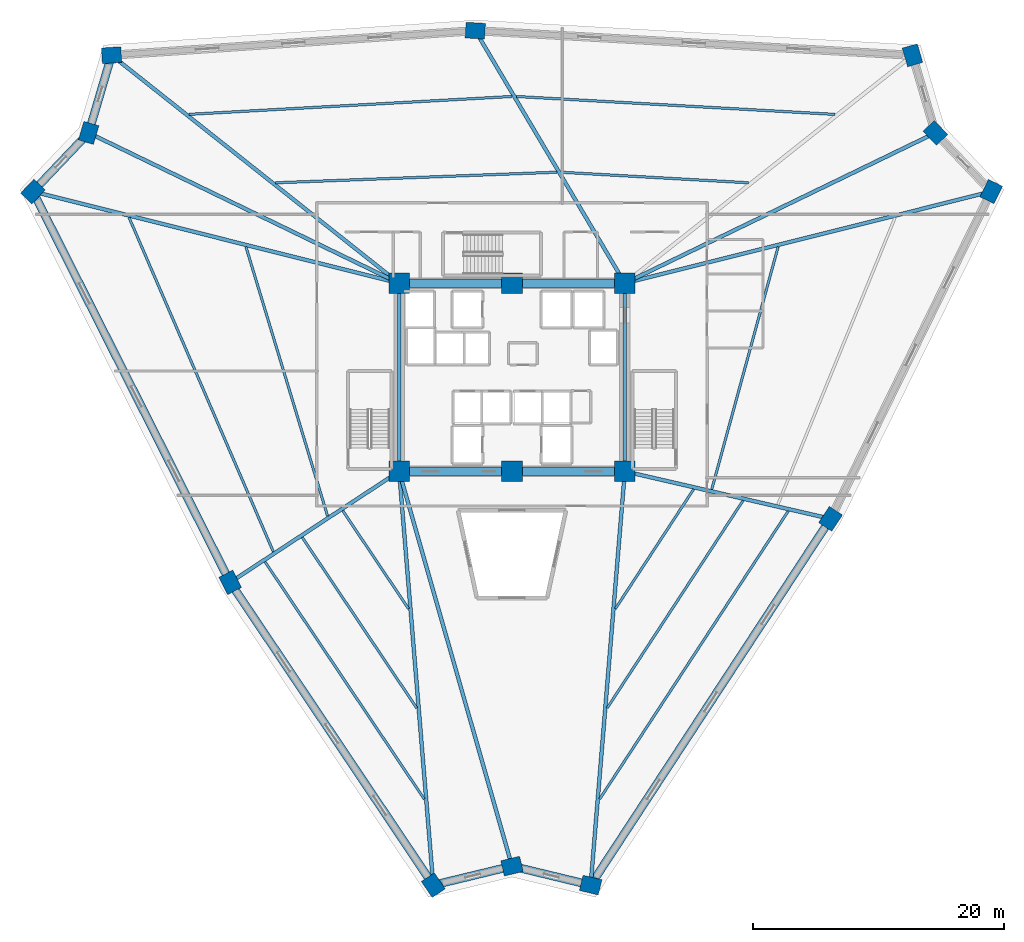
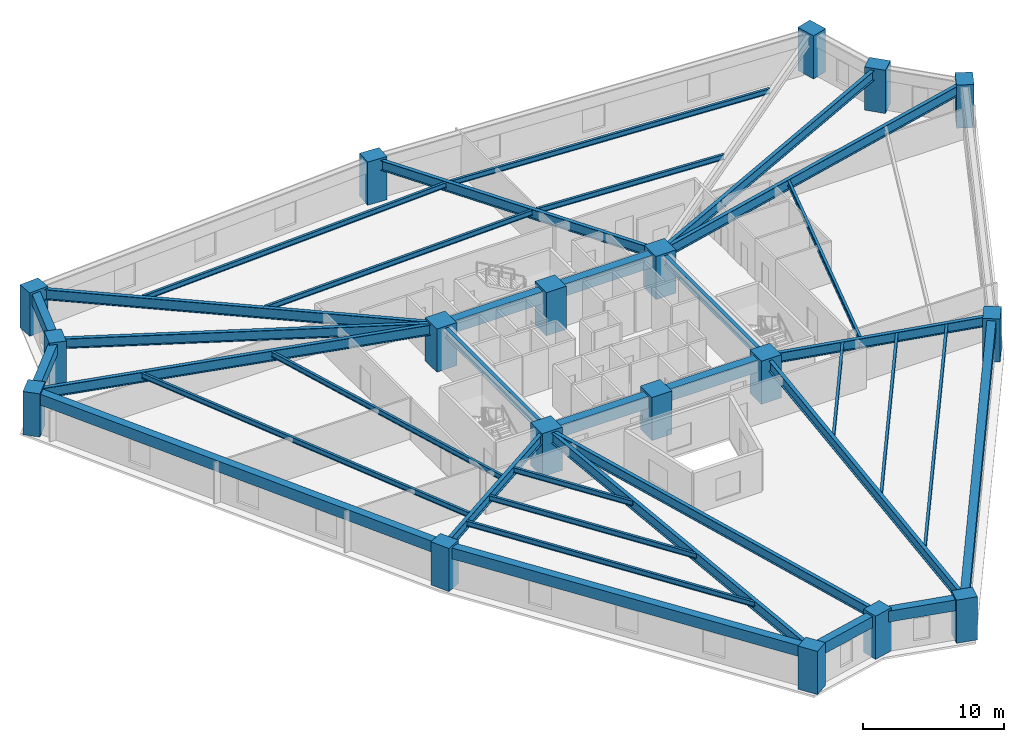
# One storey, part 1 of 8: 37 beams, 18 columns.
"""IFC4 building model written with IfcOpenShell, lengths in metres."""

from ifc_helpers import new_model, si_unit, direction, frame, origin, origin_2d, place, context, subcontext, project, spatial, rectangle, i_section, extrude, source, transform, mapped, material, material_profile, profile_set, type_object, element, save


model = new_model("IFC4")

# Units and contexts
model_context = context("Model", 3, precision=1e-05, world=origin(), true_north=direction((0.0, 1.0)))
body_context = subcontext(model_context, "Body", "Model", "MODEL_VIEW")
ifc_project = project(units=[si_unit("LENGTHUNIT", "METRE"), si_unit("AREAUNIT", "SQUARE_METRE"), si_unit("VOLUMEUNIT", "CUBIC_METRE"), si_unit("PLANEANGLEUNIT", "RADIAN"), si_unit("MASSUNIT", "GRAM", prefix="KILO")], contexts=[model_context])

# Site, building, storey
site_placement = place(None, origin())
site = spatial("IfcSite", under=ifc_project, at=site_placement, CompositionType="ELEMENT")
building_placement = place(site_placement, origin())
building = spatial("IfcBuilding", under=site, at=building_placement, Name="Liaohun Quay Tower", CompositionType="ELEMENT")
storey_placement = place(building_placement, frame((0.0, 0.0, 63.0)))
storey = spatial("IfcBuildingStorey", under=building, at=storey_placement, Name="L16", CompositionType="ELEMENT", Elevation=63.0)

# Columns
ifc_material_1 = material(Name="Concrete C60", Category="concrete")
ifc_material_profile_1 = material_profile(ifc_material_1, rectangle(XDim=1.64990234375, YDim=1.64990234375, at=origin_2d()), Name="RC1650x1650")
ifc_profile_set_1 = profile_set([ifc_material_profile_1], Name="Concrete C60")
column_type_1 = type_object("IfcColumnType", Name="COL-CC-Z1", PredefinedType="COLUMN", material=ifc_profile_set_1)
shared_shape_1 = source(origin(), body_context, "Body", "SweptSolid", [
    extrude(rectangle(XDim=1.64990234375, YDim=1.64990234375, at=origin_2d()), origin(), (0.0, 0.0, 1.0), 3.75),
])
for number, where, z_axis, x_axis, name in (
    (1, (51.0, 46.5, 0.0), (0.0, 0.0, 1.0), (1.0, 0.0, 0.0), "L16 Core Column CC1"),
    (2, (60.0, 46.5, 0.0), (0.0, 0.0, 1.0), (1.0, 0.0, 0.0), "L16 Core Column CC2"),
    (3, (69.0, 46.5, 0.0), (0.0, 0.0, 1.0), (1.0, 0.0, 0.0), "L16 Core Column CC3"),
    (4, (69.0, 61.5, 0.0), (0.0, 0.0, 1.0), (1.0, 0.0, 0.0), "L16 Core Column CC4"),
    (5, (60.0, 61.5, 0.0), (0.0, 0.0, 1.0), (1.0, 0.0, 0.0), "L16 Core Column CC5"),
    (6, (51.0, 61.5, 0.0), (0.0, 0.0, 1.0), (1.0, 0.0, 0.0), "L16 Core Column CC6"),
):
    element("IfcColumn", number, at=place(storey_placement, frame(where, z_axis=z_axis, x_axis=x_axis)), inside=storey, type_object=column_type_1, Name=name, PredefinedType="COLUMN", context=body_context, shape_type="MappedRepresentation", body=[
        mapped(shared_shape_1, transform((0.0, 0.0, 0.0), x_axis=(1.0, 0.0, 0.0), y_axis=(0.0, 1.0, 0.0), z_axis=(0.0, 0.0, 1.0), scale=1.0)),
    ])
ifc_material_profile_2 = material_profile(ifc_material_1, rectangle(XDim=1.550048828125, YDim=1.25, at=origin_2d()), Name="RC1550x1250")
ifc_profile_set_2 = profile_set([ifc_material_profile_2], Name="Concrete C60")
column_type_2 = type_object("IfcColumnType", Name="COL-PIER-Z1", PredefinedType="COLUMN", material=ifc_profile_set_2)
shared_shape_2 = source(origin(), body_context, "Body", "SweptSolid", [
    extrude(rectangle(XDim=1.550048828125, YDim=1.25, at=origin_2d()), origin(), (0.0, 0.0, 1.0), 3.75),
])
for number, where, z_axis, x_axis, name in (
    (7, (53.721923828125, 13.50390625, 0.0), (0.0, 0.0, 1.0), (-0.557165515219, 0.830401462336, 0.0), "L16 Perimeter Pier PC01"),
    (8, (37.527099609375, 37.64501953125, 0.0), (0.0, 0.0, 1.0), (-0.450565941999, 0.892743150022, 0.0), "L16 Perimeter Pier PC02"),
    (9, (21.7958984375, 68.81591796875, 0.0), (0.0, 0.0, 1.0), (0.689240273721, 0.724532846102, 0.0), "L16 Perimeter Pier PC03"),
    (10, (26.241943359375, 73.489990234375, 0.0), (0.0, 0.0, 1.0), (0.282676303383, 0.959215360337, 0.0), "L16 Perimeter Pier PC04"),
    (11, (28.068115234375, 79.68505859375, 0.0), (0.0, 0.0, 1.0), (0.997731519333, 0.067318759124, 0.0), "L16 Perimeter Pier PC05"),
    (12, (57.072998046875, 81.639892578125, 0.0), (0.0, 0.0, 1.0), (-0.998421217973, 0.05617002316, 0.0), "L16 Perimeter Pier PC06"),
    (13, (91.93408203125, 79.677978515625, 0.0), (0.0, 0.0, 1.0), (-0.282676303383, 0.959215360337, 0.0), "L16 Perimeter Pier PC07"),
    (14, (93.758056640625, 73.489990234375, 0.0), (0.0, 0.0, 1.0), (-0.689240273721, 0.724532846102, 0.0), "L16 Perimeter Pier PC08"),
    (15, (98.208984375, 68.81103515625, 0.0), (0.0, 0.0, 1.0), (0.440566004113, 0.897720221461, 0.0), "L16 Perimeter Pier PC09"),
    (16, (85.40087890625, 42.716064453125, 0.0), (0.0, 0.0, 1.0), (0.547855275974, 0.836573126862, 0.0), "L16 Perimeter Pier PC10"),
    (17, (66.27099609375, 13.506103515625, 0.0), (0.0, 0.0, 1.0), (-0.972043021443, 0.234802820391, 0.0), "L16 Perimeter Pier PC11"),
    (18, (60.0, 15.02001953125, 0.0), (0.0, 0.0, 1.0), (0.972043021443, 0.234802820391, 0.0), "L16 Perimeter Pier PC12"),
):
    element("IfcColumn", number, at=place(storey_placement, frame(where, z_axis=z_axis, x_axis=x_axis)), inside=storey, type_object=column_type_2, Name=name, PredefinedType="COLUMN", context=body_context, shape_type="MappedRepresentation", body=[
        mapped(shared_shape_2, transform((0.0, 0.0, 0.0), x_axis=(1.0, 0.0, 0.0), y_axis=(0.0, 1.0, 0.0), z_axis=(0.0, 0.0, 1.0), scale=1.0)),
    ])

# Beams
ifc_material_profile_3 = material_profile(ifc_material_1, rectangle(XDim=0.699951171875, YDim=1.050048828125, at=origin_2d()), Name="RC700x1050")
ifc_profile_set_3 = profile_set([ifc_material_profile_3], Name="Concrete C60")
beam_type_1 = type_object("IfcBeamType", Name="BM-CPL-1", PredefinedType="LINTEL", material=ifc_profile_set_3)
shared_shape_3 = source(origin(), body_context, "Body", "SweptSolid", [
    extrude(rectangle(XDim=0.699951171875, YDim=1.050048828125, at=origin_2d()), origin(), (0.0, 0.0, 1.0), 9.0),
])
for number, where, z_axis, x_axis, name in (
    (19, (51.0, 46.5, 3.044921875), (1.0, 0.0, 0.0), (0.0, 1.0, 0.0), "L16 Core Coupling/Ring Beam CC1-CC2"),
    (20, (60.0, 46.5, 3.044921875), (1.0, 0.0, 0.0), (0.0, 1.0, 0.0), "L16 Core Coupling/Ring Beam CC2-CC3"),
    (21, (69.0, 61.5, 3.044921875), (-1.0, 0.0, 0.0), (0.0, -1.0, 0.0), "L16 Core Coupling/Ring Beam CC4-CC5"),
    (22, (60.0, 61.5, 3.044921875), (-1.0, 0.0, 0.0), (0.0, -1.0, 0.0), "L16 Core Coupling/Ring Beam CC5-CC6"),
):
    element("IfcBeam", number, at=place(storey_placement, frame(where, z_axis=z_axis, x_axis=x_axis)), inside=storey, type_object=beam_type_1, Name=name, PredefinedType="LINTEL", context=body_context, shape_type="MappedRepresentation", body=[
        mapped(shared_shape_3, transform((0.0, 0.0, 0.0), x_axis=(1.0, 0.0, 0.0), y_axis=(0.0, 1.0, 0.0), z_axis=(0.0, 0.0, 1.0), scale=1.0)),
    ])
ifc_material_2 = material(Name="Steel Q355D", Category="steel")
ifc_material_profile_4 = material_profile(ifc_material_2, i_section(OverallWidth=0.300048828125, OverallDepth=0.800048828125, WebThickness=0.013916015625, FlangeThickness=0.02587890625, at=origin_2d()), Name="HN800x300x14x26")
ifc_profile_set_4 = profile_set([ifc_material_profile_4], Name="Steel Q355D")
beam_type_2 = type_object("IfcBeamType", Name="BM-RAD-M1", PredefinedType="BEAM", material=ifc_profile_set_4)
shared_shape_4 = source(origin(), body_context, "Body", "SweptSolid", [
    extrude(i_section(OverallWidth=0.300048828125, OverallDepth=0.800048828125, WebThickness=0.013916015625, FlangeThickness=0.02587890625, at=origin_2d()), origin(), (0.0, 0.0, 1.0), 15.0),
])
for number, where, z_axis, x_axis, name in (
    (23, (69.0, 46.5, 3.169921875), (0.0, 1.0, 0.0), (-1.0, 0.0, 0.0), "L16 Core Coupling/Ring Beam CC3-CC4"),
    (24, (51.0, 61.5, 3.169921875), (0.0, -1.0, 0.0), (1.0, 0.0, 0.0), "L16 Core Coupling/Ring Beam CC6-CC1"),
):
    element("IfcBeam", number, at=place(storey_placement, frame(where, z_axis=z_axis, x_axis=x_axis)), inside=storey, type_object=beam_type_2, Name=name, PredefinedType="BEAM", context=body_context, shape_type="MappedRepresentation", body=[
        mapped(shared_shape_4, transform((0.0, 0.0, 0.0), x_axis=(1.0, 0.0, 0.0), y_axis=(0.0, 1.0, 0.0), z_axis=(0.0, 0.0, 1.0), scale=1.0)),
    ])
ifc_material_3 = material(Name="Steel Q420D", Category="steel")
ifc_material_profile_5 = material_profile(ifc_material_3, i_section(OverallWidth=0.300048828125, OverallDepth=0.89990234375, WebThickness=0.01611328125, FlangeThickness=0.028076171875, at=origin_2d()), Name="HN900x300x16x28")
ifc_profile_set_5 = profile_set([ifc_material_profile_5], Name="Steel Q420D")
beam_type_3 = type_object("IfcBeamType", Name="BM-RAD-H1", PredefinedType="BEAM", material=ifc_profile_set_5)
shared_shape_5 = source(origin(), body_context, "Body", "SweptSolid", [
    extrude(i_section(OverallWidth=0.300048828125, OverallDepth=0.89990234375, WebThickness=0.01611328125, FlangeThickness=0.028076171875, at=origin_2d()), origin(), (0.0, 0.0, 1.0), 33.108154296875),
])
beam_1_placement = place(storey_placement, frame((51.0, 46.5, 3.1201171875), z_axis=(0.082213050139, -0.996614777327, 0.0), x_axis=(0.996614777327, 0.082213050139, 0.0)))
element("IfcBeam", 25, at=beam_1_placement, inside=storey, type_object=beam_type_3, Name="L16 Radial Primary Girder CC1-PC01", PredefinedType="BEAM", context=body_context, shape_type="MappedRepresentation", body=[
    mapped(shared_shape_5, transform((0.0, 0.0, 0.0), x_axis=(1.0, 0.0, 0.0), y_axis=(0.0, 1.0, 0.0), z_axis=(0.0, 0.0, 1.0), scale=1.0)),
])
ifc_material_profile_6 = material_profile(ifc_material_2, i_section(OverallWidth=0.300048828125, OverallDepth=0.85009765625, WebThickness=0.01611328125, FlangeThickness=0.028076171875, at=origin_2d()), Name="HN850x300x16x28")
ifc_profile_set_6 = profile_set([ifc_material_profile_6], Name="Steel Q355D")
beam_type_4 = type_object("IfcBeamType", Name="BM-RAD-H2", PredefinedType="BEAM", material=ifc_profile_set_6)
shared_shape_6 = source(origin(), body_context, "Body", "SweptSolid", [
    extrude(i_section(OverallWidth=0.300048828125, OverallDepth=0.85009765625, WebThickness=0.01611328125, FlangeThickness=0.028076171875, at=origin_2d()), origin(), (0.0, 0.0, 1.0), 16.122314453125),
])
beam_2_placement = place(storey_placement, frame((51.0, 46.5, 3.14501953125), z_axis=(-0.835666756769, -0.549236808336, 0.0), x_axis=(0.549236808336, -0.835666756769, 0.0)))
element("IfcBeam", 26, at=beam_2_placement, inside=storey, type_object=beam_type_4, Name="L16 Radial Primary Girder CC1-PC02", PredefinedType="BEAM", context=body_context, shape_type="MappedRepresentation", body=[
    mapped(shared_shape_6, transform((0.0, 0.0, 0.0), x_axis=(1.0, 0.0, 0.0), y_axis=(0.0, 1.0, 0.0), z_axis=(0.0, 0.0, 1.0), scale=1.0)),
])
shared_shape_7 = source(origin(), body_context, "Body", "SweptSolid", [
    extrude(i_section(OverallWidth=0.300048828125, OverallDepth=0.89990234375, WebThickness=0.01611328125, FlangeThickness=0.028076171875, at=origin_2d()), origin(), (0.0, 0.0, 1.0), 30.1064453125),
])
beam_3_placement = place(storey_placement, frame((51.0, 61.5, 3.1201171875), z_axis=(-0.970025997145, 0.243001162268, 0.0), x_axis=(-0.243001162268, -0.970025997145, 0.0)))
element("IfcBeam", 27, at=beam_3_placement, inside=storey, type_object=beam_type_3, Name="L16 Radial Primary Girder CC6-PC03", PredefinedType="BEAM", context=body_context, shape_type="MappedRepresentation", body=[
    mapped(shared_shape_7, transform((0.0, 0.0, 0.0), x_axis=(1.0, 0.0, 0.0), y_axis=(0.0, 1.0, 0.0), z_axis=(0.0, 0.0, 1.0), scale=1.0)),
])
shared_shape_8 = source(origin(), body_context, "Body", "SweptSolid", [
    extrude(i_section(OverallWidth=0.300048828125, OverallDepth=0.85009765625, WebThickness=0.01611328125, FlangeThickness=0.028076171875, at=origin_2d()), origin(), (0.0, 0.0, 1.0), 27.508544921875),
])
for number, where, z_axis, x_axis, name in (
    (28, (51.0, 61.5, 3.14501953125), (-0.900012604526, 0.435863868305, 0.0), (-0.435863868305, -0.900012604526, 0.0), "L16 Radial Primary Girder CC6-PC04"),
    (29, (69.0, 61.5, 3.14501953125), (0.900012604526, 0.435863868305, 0.0), (-0.435863868305, 0.900012604526, 0.0), "L16 Radial Primary Girder CC4-PC08"),
):
    element("IfcBeam", number, at=place(storey_placement, frame(where, z_axis=z_axis, x_axis=x_axis)), inside=storey, type_object=beam_type_4, Name=name, PredefinedType="BEAM", context=body_context, shape_type="MappedRepresentation", body=[
        mapped(shared_shape_8, transform((0.0, 0.0, 0.0), x_axis=(1.0, 0.0, 0.0), y_axis=(0.0, 1.0, 0.0), z_axis=(0.0, 0.0, 1.0), scale=1.0)),
    ])
shared_shape_9 = source(origin(), body_context, "Body", "SweptSolid", [
    extrude(i_section(OverallWidth=0.300048828125, OverallDepth=0.89990234375, WebThickness=0.01611328125, FlangeThickness=0.028076171875, at=origin_2d()), origin(), (0.0, 0.0, 1.0), 29.26708984375),
])
beam_4_placement = place(storey_placement, frame((51.0, 61.5, 3.1201171875), z_axis=(-0.783535909792, 0.621346504027, 0.0), x_axis=(-0.621346504027, -0.783535909792, 0.0)))
element("IfcBeam", 30, at=beam_4_placement, inside=storey, type_object=beam_type_3, Name="L16 Radial Primary Girder CC6-PC05", PredefinedType="BEAM", context=body_context, shape_type="MappedRepresentation", body=[
    mapped(shared_shape_9, transform((0.0, 0.0, 0.0), x_axis=(1.0, 0.0, 0.0), y_axis=(0.0, 1.0, 0.0), z_axis=(0.0, 0.0, 1.0), scale=1.0)),
])
shared_shape_10 = source(origin(), body_context, "Body", "SweptSolid", [
    extrude(i_section(OverallWidth=0.300048828125, OverallDepth=0.85009765625, WebThickness=0.01611328125, FlangeThickness=0.028076171875, at=origin_2d()), origin(), (0.0, 0.0, 1.0), 23.406494140625),
])
beam_5_placement = place(storey_placement, frame((69.0, 61.5, 3.14501953125), z_axis=(-0.509557344745, 0.860436698669, 0.0), x_axis=(-0.860436698669, -0.509557344745, 0.0)))
element("IfcBeam", 31, at=beam_5_placement, inside=storey, type_object=beam_type_4, Name="L16 Radial Primary Girder CC4-PC06", PredefinedType="BEAM", context=body_context, shape_type="MappedRepresentation", body=[
    mapped(shared_shape_10, transform((0.0, 0.0, 0.0), x_axis=(1.0, 0.0, 0.0), y_axis=(0.0, 1.0, 0.0), z_axis=(0.0, 0.0, 1.0), scale=1.0)),
])
shared_shape_11 = source(origin(), body_context, "Body", "SweptSolid", [
    extrude(i_section(OverallWidth=0.300048828125, OverallDepth=0.89990234375, WebThickness=0.01611328125, FlangeThickness=0.028076171875, at=origin_2d()), origin(), (0.0, 0.0, 1.0), 30.110107421875),
])
beam_6_placement = place(storey_placement, frame((69.0, 61.5, 3.1201171875), z_axis=(0.970073779405, 0.242810342678, 0.0), x_axis=(-0.242810342678, 0.970073779405, 0.0)))
element("IfcBeam", 32, at=beam_6_placement, inside=storey, type_object=beam_type_3, Name="L16 Radial Primary Girder CC4-PC09", PredefinedType="BEAM", context=body_context, shape_type="MappedRepresentation", body=[
    mapped(shared_shape_11, transform((0.0, 0.0, 0.0), x_axis=(1.0, 0.0, 0.0), y_axis=(0.0, 1.0, 0.0), z_axis=(0.0, 0.0, 1.0), scale=1.0)),
])
shared_shape_12 = source(origin(), body_context, "Body", "SweptSolid", [
    extrude(i_section(OverallWidth=0.300048828125, OverallDepth=0.85009765625, WebThickness=0.01611328125, FlangeThickness=0.028076171875, at=origin_2d()), origin(), (0.0, 0.0, 1.0), 16.831787109375),
])
beam_7_placement = place(storey_placement, frame((69.0, 46.5, 3.14501953125), z_axis=(0.974402684171, -0.224809717496, 0.0), x_axis=(0.224809717496, 0.974402684171, 0.0)))
element("IfcBeam", 33, at=beam_7_placement, inside=storey, type_object=beam_type_4, Name="L16 Radial Primary Girder CC3-PC10", PredefinedType="BEAM", context=body_context, shape_type="MappedRepresentation", body=[
    mapped(shared_shape_12, transform((0.0, 0.0, 0.0), x_axis=(1.0, 0.0, 0.0), y_axis=(0.0, 1.0, 0.0), z_axis=(0.0, 0.0, 1.0), scale=1.0)),
])
shared_shape_13 = source(origin(), body_context, "Body", "SweptSolid", [
    extrude(i_section(OverallWidth=0.300048828125, OverallDepth=0.89990234375, WebThickness=0.01611328125, FlangeThickness=0.028076171875, at=origin_2d()), origin(), (0.0, 0.0, 1.0), 33.1064453125),
])
beam_8_placement = place(storey_placement, frame((69.0, 46.5, 3.1201171875), z_axis=(-0.082430897907, -0.996596782591, 0.0), x_axis=(0.996596782591, -0.082430897907, 0.0)))
element("IfcBeam", 34, at=beam_8_placement, inside=storey, type_object=beam_type_3, Name="L16 Radial Primary Girder CC3-PC11", PredefinedType="BEAM", context=body_context, shape_type="MappedRepresentation", body=[
    mapped(shared_shape_13, transform((0.0, 0.0, 0.0), x_axis=(1.0, 0.0, 0.0), y_axis=(0.0, 1.0, 0.0), z_axis=(0.0, 0.0, 1.0), scale=1.0)),
])
shared_shape_14 = source(origin(), body_context, "Body", "SweptSolid", [
    extrude(i_section(OverallWidth=0.300048828125, OverallDepth=0.85009765625, WebThickness=0.01611328125, FlangeThickness=0.028076171875, at=origin_2d()), origin(), (0.0, 0.0, 1.0), 32.7412109375),
])
beam_9_placement = place(storey_placement, frame((51.0, 46.5, 3.14501953125), z_axis=(0.274882638281, -0.961477787144, 0.0), x_axis=(0.961477787144, 0.274882638281, 0.0)))
element("IfcBeam", 35, at=beam_9_placement, inside=storey, type_object=beam_type_4, Name="L16 Radial Primary Girder CC1-PC12", PredefinedType="BEAM", context=body_context, shape_type="MappedRepresentation", body=[
    mapped(shared_shape_14, transform((0.0, 0.0, 0.0), x_axis=(1.0, 0.0, 0.0), y_axis=(0.0, 1.0, 0.0), z_axis=(0.0, 0.0, 1.0), scale=1.0)),
])
ifc_material_profile_7 = material_profile(ifc_material_2, i_section(OverallWidth=0.199951171875, OverallDepth=0.449951171875, WebThickness=0.009033203125, FlangeThickness=0.013916015625, at=origin_2d()), Name="HN450x200x9x14")
ifc_profile_set_7 = profile_set([ifc_material_profile_7], Name="Steel Q355D")
beam_type_5 = type_object("IfcBeamType", Name="BM-SEC-J1", PredefinedType="JOIST", material=ifc_profile_set_7)
shared_shape_15 = source(origin(), body_context, "Body", "SweptSolid", [
    extrude(i_section(OverallWidth=0.199951171875, OverallDepth=0.449951171875, WebThickness=0.009033203125, FlangeThickness=0.013916015625, at=origin_2d()), origin(), (0.0, 0.0, 1.0), 9.426025390625),
])
beam_10_placement = place(storey_placement, frame((51.75390625, 35.537109375, 3.344970703125), z_axis=(-0.557076828269, 0.830460960796, 0.0), x_axis=(-0.830460960796, -0.557076828269, 0.0)))
element("IfcBeam", 36, at=beam_10_placement, inside=storey, type_object=beam_type_5, Name="L16 Wing Secondary Floor Joist SJ-01", PredefinedType="JOIST", context=body_context, shape_type="MappedRepresentation", body=[
    mapped(shared_shape_15, transform((0.0, 0.0, 0.0), x_axis=(1.0, 0.0, 0.0), y_axis=(0.0, 1.0, 0.0), z_axis=(0.0, 0.0, 1.0), scale=1.0)),
])
shared_shape_16 = source(origin(), body_context, "Body", "SweptSolid", [
    extrude(i_section(OverallWidth=0.199951171875, OverallDepth=0.449951171875, WebThickness=0.009033203125, FlangeThickness=0.013916015625, at=origin_2d()), origin(), (0.0, 0.0, 1.0), 16.403076171875),
])
beam_11_placement = place(storey_placement, frame((52.406982421875, 27.617919921875, 3.344970703125), z_axis=(-0.557085042858, 0.830455450355, 0.0), x_axis=(-0.830455450355, -0.557085042858, 0.0)))
element("IfcBeam", 37, at=beam_11_placement, inside=storey, type_object=beam_type_5, Name="L16 Wing Secondary Floor Joist SJ-02", PredefinedType="JOIST", context=body_context, shape_type="MappedRepresentation", body=[
    mapped(shared_shape_16, transform((0.0, 0.0, 0.0), x_axis=(1.0, 0.0, 0.0), y_axis=(0.0, 1.0, 0.0), z_axis=(0.0, 0.0, 1.0), scale=1.0)),
])
shared_shape_17 = source(origin(), body_context, "Body", "SweptSolid", [
    extrude(i_section(OverallWidth=0.199951171875, OverallDepth=0.449951171875, WebThickness=0.009033203125, FlangeThickness=0.013916015625, at=origin_2d()), origin(), (0.0, 0.0, 1.0), 22.7978515625),
])
beam_12_placement = place(storey_placement, frame((53.006103515625, 20.35888671875, 3.344970703125), z_axis=(-0.557119704894, 0.830432197364, 0.0), x_axis=(-0.830432197364, -0.557119704894, 0.0)))
element("IfcBeam", 38, at=beam_12_placement, inside=storey, type_object=beam_type_5, Name="L16 Wing Secondary Floor Joist SJ-03", PredefinedType="JOIST", context=body_context, shape_type="MappedRepresentation", body=[
    mapped(shared_shape_17, transform((0.0, 0.0, 0.0), x_axis=(1.0, 0.0, 0.0), y_axis=(0.0, 1.0, 0.0), z_axis=(0.0, 0.0, 1.0), scale=1.0)),
])
shared_shape_18 = source(origin(), body_context, "Body", "SweptSolid", [
    extrude(i_section(OverallWidth=0.199951171875, OverallDepth=0.449951171875, WebThickness=0.009033203125, FlangeThickness=0.013916015625, at=origin_2d()), origin(), (0.0, 0.0, 1.0), 22.439453125),
])
beam_13_placement = place(storey_placement, frame((45.2958984375, 42.930908203125, 3.344970703125), z_axis=(-0.290157469186, 0.956978914645, 0.0), x_axis=(-0.956978914645, -0.290157469186, 0.0)))
element("IfcBeam", 39, at=beam_13_placement, inside=storey, type_object=beam_type_5, Name="L16 Wing Secondary Floor Joist SJ-04", PredefinedType="JOIST", context=body_context, shape_type="MappedRepresentation", body=[
    mapped(shared_shape_18, transform((0.0, 0.0, 0.0), x_axis=(1.0, 0.0, 0.0), y_axis=(0.0, 1.0, 0.0), z_axis=(0.0, 0.0, 1.0), scale=1.0)),
])
shared_shape_19 = source(origin(), body_context, "Body", "SweptSolid", [
    extrude(i_section(OverallWidth=0.199951171875, OverallDepth=0.449951171875, WebThickness=0.009033203125, FlangeThickness=0.013916015625, at=origin_2d()), origin(), (0.0, 0.0, 1.0), 29.030517578125),
])
beam_14_placement = place(storey_placement, frame((40.969970703125, 40.0869140625, 3.344970703125), z_axis=(-0.396336619549, 0.918105268477, 0.0), x_axis=(-0.918105268477, -0.396336619549, 0.0)))
element("IfcBeam", 40, at=beam_14_placement, inside=storey, type_object=beam_type_5, Name="L16 Wing Secondary Floor Joist SJ-05", PredefinedType="JOIST", context=body_context, shape_type="MappedRepresentation", body=[
    mapped(shared_shape_19, transform((0.0, 0.0, 0.0), x_axis=(1.0, 0.0, 0.0), y_axis=(0.0, 1.0, 0.0), z_axis=(0.0, 0.0, 1.0), scale=1.0)),
])
shared_shape_20 = source(origin(), body_context, "Body", "SweptSolid", [
    extrude(i_section(OverallWidth=0.199951171875, OverallDepth=0.449951171875, WebThickness=0.009033203125, FlangeThickness=0.013916015625, at=origin_2d()), origin(), (0.0, 0.0, 1.0), 22.4580078125),
])
beam_15_placement = place(storey_placement, frame((41.139892578125, 69.510009765625, 3.344970703125), z_axis=(0.999291950891, 0.03762441872, 0.0), x_axis=(-0.03762441872, 0.999291950891, 0.0)))
element("IfcBeam", 41, at=beam_15_placement, inside=storey, type_object=beam_type_5, Name="L16 Wing Secondary Floor Joist SJ-06", PredefinedType="JOIST", context=body_context, shape_type="MappedRepresentation", body=[
    mapped(shared_shape_20, transform((0.0, 0.0, 0.0), x_axis=(1.0, 0.0, 0.0), y_axis=(0.0, 1.0, 0.0), z_axis=(0.0, 0.0, 1.0), scale=1.0)),
])
shared_shape_21 = source(origin(), body_context, "Body", "SweptSolid", [
    extrude(i_section(OverallWidth=0.199951171875, OverallDepth=0.449951171875, WebThickness=0.009033203125, FlangeThickness=0.013916015625, at=origin_2d()), origin(), (0.0, 0.0, 1.0), 25.7880859375),
])
beam_16_placement = place(storey_placement, frame((34.256103515625, 74.968994140625, 3.344970703125), z_axis=(0.998472012075, 0.055259760252, 0.0), x_axis=(-0.055259760252, 0.998472012075, 0.0)))
element("IfcBeam", 42, at=beam_16_placement, inside=storey, type_object=beam_type_5, Name="L16 Wing Secondary Floor Joist SJ-07", PredefinedType="JOIST", context=body_context, shape_type="MappedRepresentation", body=[
    mapped(shared_shape_21, transform((0.0, 0.0, 0.0), x_axis=(1.0, 0.0, 0.0), y_axis=(0.0, 1.0, 0.0), z_axis=(0.0, 0.0, 1.0), scale=1.0)),
])
shared_shape_22 = source(origin(), body_context, "Body", "SweptSolid", [
    extrude(i_section(OverallWidth=0.199951171875, OverallDepth=0.449951171875, WebThickness=0.009033203125, FlangeThickness=0.013916015625, at=origin_2d()), origin(), (0.0, 0.0, 1.0), 14.956787109375),
])
beam_17_placement = place(storey_placement, frame((63.931884765625, 70.35107421875, 3.344970703125), z_axis=(0.998421335537, -0.05616793342, 0.0), x_axis=(0.05616793342, 0.998421335537, 0.0)))
element("IfcBeam", 43, at=beam_17_placement, inside=storey, type_object=beam_type_5, Name="L16 Wing Secondary Floor Joist SJ-08", PredefinedType="JOIST", context=body_context, shape_type="MappedRepresentation", body=[
    mapped(shared_shape_22, transform((0.0, 0.0, 0.0), x_axis=(1.0, 0.0, 0.0), y_axis=(0.0, 1.0, 0.0), z_axis=(0.0, 0.0, 1.0), scale=1.0)),
])
shared_shape_23 = source(origin(), body_context, "Body", "SweptSolid", [
    extrude(i_section(OverallWidth=0.199951171875, OverallDepth=0.449951171875, WebThickness=0.009033203125, FlangeThickness=0.013916015625, at=origin_2d()), origin(), (0.0, 0.0, 1.0), 25.432373046875),
])
beam_18_placement = place(storey_placement, frame((60.35400390625, 76.39306640625, 3.344970703125), z_axis=(0.998420279626, -0.056186699774, 0.0), x_axis=(0.056186699774, 0.998420279626, 0.0)))
element("IfcBeam", 44, at=beam_18_placement, inside=storey, type_object=beam_type_5, Name="L16 Wing Secondary Floor Joist SJ-09", PredefinedType="JOIST", context=body_context, shape_type="MappedRepresentation", body=[
    mapped(shared_shape_23, transform((0.0, 0.0, 0.0), x_axis=(1.0, 0.0, 0.0), y_axis=(0.0, 1.0, 0.0), z_axis=(0.0, 0.0, 1.0), scale=1.0)),
])
shared_shape_24 = source(origin(), body_context, "Body", "SweptSolid", [
    extrude(i_section(OverallWidth=0.199951171875, OverallDepth=0.449951171875, WebThickness=0.009033203125, FlangeThickness=0.013916015625, at=origin_2d()), origin(), (0.0, 0.0, 1.0), 20.060302734375),
])
beam_19_placement = place(storey_placement, frame((81.221923828125, 64.405029296875, 3.344970703125), z_axis=(-0.263902025944, -0.964549491059, 0.0), x_axis=(0.964549491059, -0.263902025944, 0.0)))
element("IfcBeam", 45, at=beam_19_placement, inside=storey, type_object=beam_type_5, Name="L16 Wing Secondary Floor Joist SJ-10", PredefinedType="JOIST", context=body_context, shape_type="MappedRepresentation", body=[
    mapped(shared_shape_24, transform((0.0, 0.0, 0.0), x_axis=(1.0, 0.0, 0.0), y_axis=(0.0, 1.0, 0.0), z_axis=(0.0, 0.0, 1.0), scale=1.0)),
])
shared_shape_25 = source(origin(), body_context, "Body", "SweptSolid", [
    extrude(i_section(OverallWidth=0.199951171875, OverallDepth=0.449951171875, WebThickness=0.009033203125, FlangeThickness=0.013916015625, at=origin_2d()), origin(), (0.0, 0.0, 1.0), 11.398193359375),
])
beam_20_placement = place(storey_placement, frame((74.489013671875, 45.080078125, 3.344970703125), z_axis=(-0.547900160039, -0.83654373145, 0.0), x_axis=(0.83654373145, -0.547900160039, 0.0)))
element("IfcBeam", 46, at=beam_20_placement, inside=storey, type_object=beam_type_5, Name="L16 Wing Secondary Floor Joist SJ-12", PredefinedType="JOIST", context=body_context, shape_type="MappedRepresentation", body=[
    mapped(shared_shape_25, transform((0.0, 0.0, 0.0), x_axis=(1.0, 0.0, 0.0), y_axis=(0.0, 1.0, 0.0), z_axis=(0.0, 0.0, 1.0), scale=1.0)),
])
shared_shape_26 = source(origin(), body_context, "Body", "SweptSolid", [
    extrude(i_section(OverallWidth=0.199951171875, OverallDepth=0.449951171875, WebThickness=0.009033203125, FlangeThickness=0.013916015625, at=origin_2d()), origin(), (0.0, 0.0, 1.0), 19.77783203125),
])
beam_21_placement = place(storey_placement, frame((78.425048828125, 44.172119140625, 3.344970703125), z_axis=(-0.547884784168, -0.836553801782, 0.0), x_axis=(0.836553801782, -0.547884784168, 0.0)))
element("IfcBeam", 47, at=beam_21_placement, inside=storey, type_object=beam_type_5, Name="L16 Wing Secondary Floor Joist SJ-13", PredefinedType="JOIST", context=body_context, shape_type="MappedRepresentation", body=[
    mapped(shared_shape_26, transform((0.0, 0.0, 0.0), x_axis=(1.0, 0.0, 0.0), y_axis=(0.0, 1.0, 0.0), z_axis=(0.0, 0.0, 1.0), scale=1.0)),
])
shared_shape_27 = source(origin(), body_context, "Body", "SweptSolid", [
    extrude(i_section(OverallWidth=0.199951171875, OverallDepth=0.449951171875, WebThickness=0.009033203125, FlangeThickness=0.013916015625, at=origin_2d()), origin(), (0.0, 0.0, 1.0), 27.458984375),
])
beam_22_placement = place(storey_placement, frame((82.032958984375, 43.339111328125, 3.344970703125), z_axis=(-0.547869654852, -0.836563710241, 0.0), x_axis=(0.836563710241, -0.547869654852, 0.0)))
element("IfcBeam", 48, at=beam_22_placement, inside=storey, type_object=beam_type_5, Name="L16 Wing Secondary Floor Joist SJ-14", PredefinedType="JOIST", context=body_context, shape_type="MappedRepresentation", body=[
    mapped(shared_shape_27, transform((0.0, 0.0, 0.0), x_axis=(1.0, 0.0, 0.0), y_axis=(0.0, 1.0, 0.0), z_axis=(0.0, 0.0, 1.0), scale=1.0)),
])
ifc_material_4 = material(Name="Precast concrete C55", Category="concrete")
ifc_material_profile_8 = material_profile(ifc_material_4, rectangle(XDim=0.64990234375, YDim=0.949951171875, at=origin_2d()), Name="RC650x950")
ifc_profile_set_8 = profile_set([ifc_material_profile_8], Name="Precast concrete C55")
beam_type_6 = type_object("IfcBeamType", Name="BM-SPD-Z1", PredefinedType="SPANDREL", material=ifc_profile_set_8)
shared_shape_28 = source(origin(), body_context, "Body", "SweptSolid", [
    extrude(rectangle(XDim=0.64990234375, YDim=0.949951171875, at=origin_2d()), origin(), (0.0, 0.0, 1.0), 29.070068359375),
])
beam_23_placement = place(storey_placement, frame((53.721923828125, 13.50390625, 3.094970703125), z_axis=(-0.557097238605, 0.830447269089, 0.0), x_axis=(-0.830447269089, -0.557097238605, 0.0)))
element("IfcBeam", 49, at=beam_23_placement, inside=storey, type_object=beam_type_6, Name="L16 Precast Spandrel Beam PC01-PC02", PredefinedType="SPANDREL", context=body_context, shape_type="MappedRepresentation", body=[
    mapped(shared_shape_28, transform((0.0, 0.0, 0.0), x_axis=(1.0, 0.0, 0.0), y_axis=(0.0, 1.0, 0.0), z_axis=(0.0, 0.0, 1.0), scale=1.0)),
])
shared_shape_29 = source(origin(), body_context, "Body", "SweptSolid", [
    extrude(rectangle(XDim=0.64990234375, YDim=0.949951171875, at=origin_2d()), origin(), (0.0, 0.0, 1.0), 34.91552734375),
])
beam_24_placement = place(storey_placement, frame((37.527099609375, 37.64501953125, 3.094970703125), z_axis=(-0.450550009349, 0.892751191024, 0.0), x_axis=(-0.892751191024, -0.450550009349, 0.0)))
element("IfcBeam", 50, at=beam_24_placement, inside=storey, type_object=beam_type_6, Name="L16 Precast Spandrel Beam PC02-PC03", PredefinedType="SPANDREL", context=body_context, shape_type="MappedRepresentation", body=[
    mapped(shared_shape_29, transform((0.0, 0.0, 0.0), x_axis=(1.0, 0.0, 0.0), y_axis=(0.0, 1.0, 0.0), z_axis=(0.0, 0.0, 1.0), scale=1.0)),
])
shared_shape_30 = source(origin(), body_context, "Body", "SweptSolid", [
    extrude(rectangle(XDim=0.64990234375, YDim=0.949951171875, at=origin_2d()), origin(), (0.0, 0.0, 1.0), 6.450927734375),
])
beam_25_placement = place(storey_placement, frame((21.7958984375, 68.81591796875, 3.094970703125), z_axis=(0.689211827604, 0.724559905523, 0.0), x_axis=(-0.724559905523, 0.689211827604, 0.0)))
element("IfcBeam", 51, at=beam_25_placement, inside=storey, type_object=beam_type_6, Name="L16 Precast Spandrel Beam PC03-PC04", PredefinedType="SPANDREL", context=body_context, shape_type="MappedRepresentation", body=[
    mapped(shared_shape_30, transform((0.0, 0.0, 0.0), x_axis=(1.0, 0.0, 0.0), y_axis=(0.0, 1.0, 0.0), z_axis=(0.0, 0.0, 1.0), scale=1.0)),
])
shared_shape_31 = source(origin(), body_context, "Body", "SweptSolid", [
    extrude(rectangle(XDim=0.64990234375, YDim=0.949951171875, at=origin_2d()), origin(), (0.0, 0.0, 1.0), 6.458740234375),
])
beam_26_placement = place(storey_placement, frame((26.241943359375, 73.489990234375, 3.094970703125), z_axis=(0.282749534854, 0.959193776325, 0.0), x_axis=(-0.959193776325, 0.282749534854, 0.0)))
element("IfcBeam", 52, at=beam_26_placement, inside=storey, type_object=beam_type_6, Name="L16 Precast Spandrel Beam PC04-PC05", PredefinedType="SPANDREL", context=body_context, shape_type="MappedRepresentation", body=[
    mapped(shared_shape_31, transform((0.0, 0.0, 0.0), x_axis=(1.0, 0.0, 0.0), y_axis=(0.0, 1.0, 0.0), z_axis=(0.0, 0.0, 1.0), scale=1.0)),
])
shared_shape_32 = source(origin(), body_context, "Body", "SweptSolid", [
    extrude(rectangle(XDim=0.64990234375, YDim=0.949951171875, at=origin_2d()), origin(), (0.0, 0.0, 1.0), 6.451171875),
])
beam_27_placement = place(storey_placement, frame((66.27099609375, 13.506103515625, 3.094970703125), z_axis=(-0.972074171359, 0.234673827634, 0.0), x_axis=(-0.234673827634, -0.972074171359, 0.0)))
element("IfcBeam", 53, at=beam_27_placement, inside=storey, type_object=beam_type_6, Name="L16 Precast Spandrel Beam PC11-PC12", PredefinedType="SPANDREL", context=body_context, shape_type="MappedRepresentation", body=[
    mapped(shared_shape_32, transform((0.0, 0.0, 0.0), x_axis=(1.0, 0.0, 0.0), y_axis=(0.0, 1.0, 0.0), z_axis=(0.0, 0.0, 1.0), scale=1.0)),
])
shared_shape_33 = source(origin(), body_context, "Body", "SweptSolid", [
    extrude(rectangle(XDim=0.64990234375, YDim=0.949951171875, at=origin_2d()), origin(), (0.0, 0.0, 1.0), 34.916748046875),
])
beam_28_placement = place(storey_placement, frame((85.40087890625, 42.716064453125, 3.094970703125), z_axis=(-0.547872398738, -0.83656191325, 0.0), x_axis=(0.83656191325, -0.547872398738, 0.0)))
element("IfcBeam", 54, at=beam_28_placement, inside=storey, type_object=beam_type_6, Name="L16 Precast Spandrel Beam PC10-PC11", PredefinedType="SPANDREL", context=body_context, shape_type="MappedRepresentation", body=[
    mapped(shared_shape_33, transform((0.0, 0.0, 0.0), x_axis=(1.0, 0.0, 0.0), y_axis=(0.0, 1.0, 0.0), z_axis=(0.0, 0.0, 1.0), scale=1.0)),
])
shared_shape_34 = source(origin(), body_context, "Body", "SweptSolid", [
    extrude(rectangle(XDim=0.64990234375, YDim=0.949951171875, at=origin_2d()), origin(), (0.0, 0.0, 1.0), 6.45849609375),
])
beam_29_placement = place(storey_placement, frame((60.0, 15.02001953125, 3.094970703125), z_axis=(-0.972056931371, -0.234745228225, 0.0), x_axis=(0.234745228225, -0.972056931371, 0.0)))
element("IfcBeam", 55, at=beam_29_placement, inside=storey, type_object=beam_type_6, Name="L16 Precast Spandrel Beam PC12-PC01", PredefinedType="SPANDREL", context=body_context, shape_type="MappedRepresentation", body=[
    mapped(shared_shape_34, transform((0.0, 0.0, 0.0), x_axis=(1.0, 0.0, 0.0), y_axis=(0.0, 1.0, 0.0), z_axis=(0.0, 0.0, 1.0), scale=1.0)),
])

save(model, "model.ifc")
